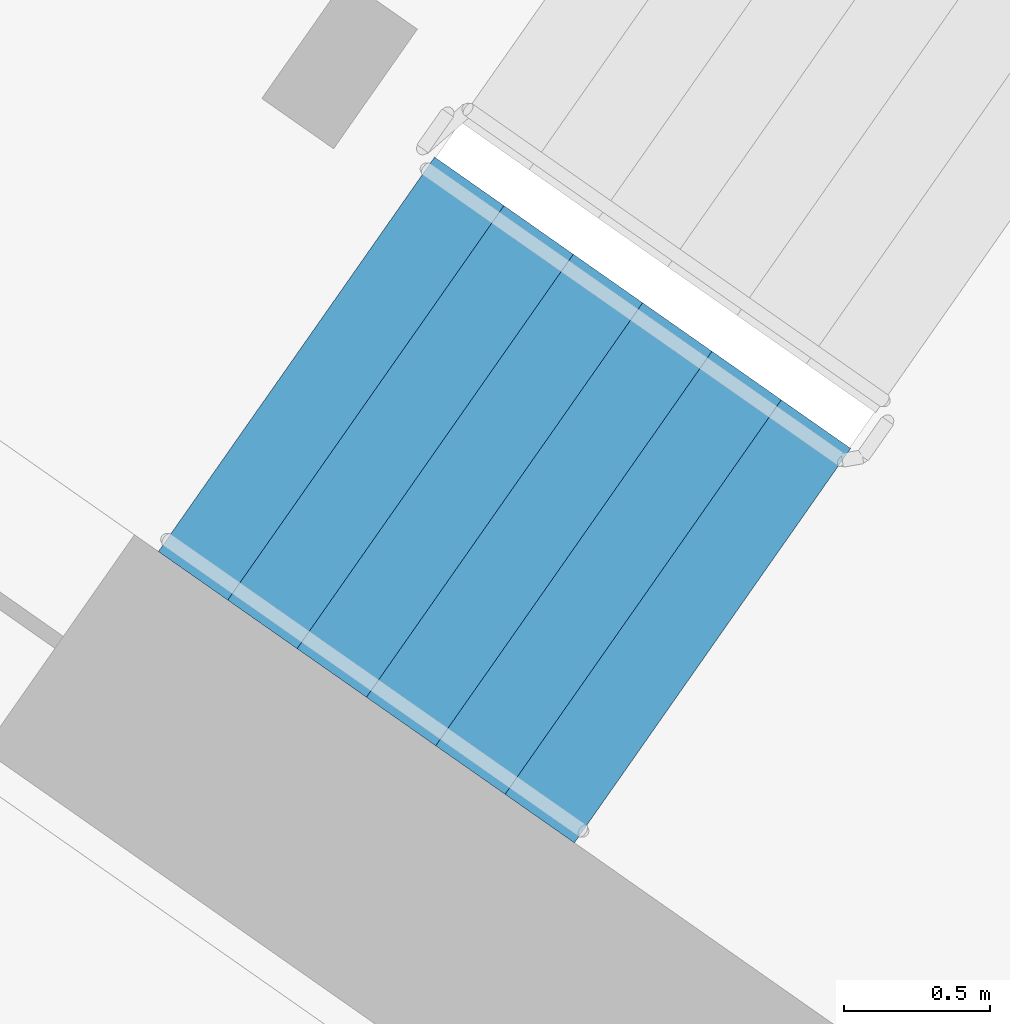
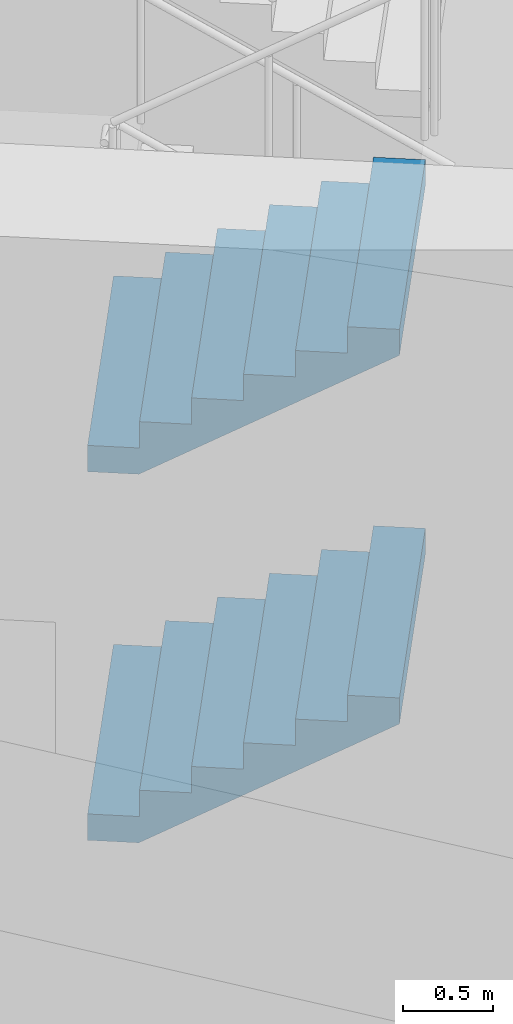
# One storey, part 15 of 25: 2 stair flights, 1 element without a shape of its own.
"""IFC4 building model written with IfcOpenShell, lengths in metres."""

from ifc_helpers import new_model, si_unit, direction, frame, origin, place, context, subcontext, project, spatial, faceted_brep, material, type_object, element, aggregate, save


model = new_model("IFC4")

# Units and contexts
model_context = context("Model", 3, precision=1e-05, world=origin(), true_north=direction((0.0, 1.0)))
body_context = subcontext(model_context, "Body", "Model", "MODEL_VIEW")
ifc_project = project(units=[si_unit("LENGTHUNIT", "METRE"), si_unit("AREAUNIT", "SQUARE_METRE"), si_unit("VOLUMEUNIT", "CUBIC_METRE"), si_unit("PLANEANGLEUNIT", "RADIAN"), si_unit("MASSUNIT", "GRAM", prefix="KILO")], contexts=[model_context])

# Site, building, storey
site_placement = place(None, origin())
site = spatial("IfcSite", under=ifc_project, at=site_placement, CompositionType="ELEMENT")
building_placement = place(site_placement, origin())
building = spatial("IfcBuilding", under=site, at=building_placement, Name="Qamariyya Broadcast Tower", CompositionType="ELEMENT")
storey_placement = place(building_placement, frame((0.0, 0.0, 144.300048828125)))
storey = spatial("IfcBuildingStorey", under=building, at=storey_placement, Name="L33", CompositionType="ELEMENT", Elevation=144.300048828125)

# Stair, stair flights
ifc_material = material(Name="Concrete C50/60", Category="concrete")
stair_type = type_object("IfcStairType", Name="Exit stair 28 risers of 179 mm", PredefinedType="HALF_TURN_STAIR", material=ifc_material)
stair_placement = place(storey_placement, origin())
stair = element("IfcStair", 1, at=stair_placement, inside=storey, type_object=stair_type, Name="L33 Stair W1", PredefinedType="HALF_TURN_STAIR")
stair_flight_type = type_object("IfcStairFlightType", Name="Exit stair flight 7 risers of 179 mm", PredefinedType="STRAIGHT", material=ifc_material)
stair_flight_1_placement = place(storey_placement, frame((-47.06884765625, -56.982666015625, 0.0), z_axis=(0.0, 0.0, 1.0), x_axis=(0.819152044289, -0.573576436351, 0.0)))
stair_flight_1 = element("IfcStairFlight", 2, at=stair_flight_1_placement, type_object=stair_flight_type, Name="ST-W1 flight 1", NumberOfRisers=7, NumberOfTreads=6, PredefinedType="STRAIGHT", RiserHeight=0.178571429, TreadLength=0.29, context=body_context, shape_type="Brep", body=[
    faceted_brep([(0.0, 0.824951171875, 0.0), (0.0, 0.824951171875, 0.178466796875), (0.2900390625, 0.824951171875, 0.178466796875), (0.2900390625, 0.824951171875, 0.357177734375), (0.580078125, 0.824951171875, 0.357177734375), (0.580078125, 0.824951171875, 0.53564453125), (0.8701171875, 0.824951171875, 0.53564453125), (0.8701171875, 0.824951171875, 0.71435546875), (1.159912109375, 0.824951171875, 0.71435546875), (1.159912109375, 0.824951171875, 0.892822265625), (1.449951171875, 0.824951171875, 0.892822265625), (1.449951171875, 0.824951171875, 1.071533203125), (1.739990234375, 0.824951171875, 1.071533203125), (1.739990234375, 0.824951171875, 0.8955078125), (0.285888671875, 0.824951171875, 0.0), (0.285888671875, -0.824951171875, 0.0), (1.739990234375, -0.824951171875, 0.8955078125), (1.739990234375, -0.824951171875, 1.071533203125), (1.449951171875, -0.824951171875, 1.071533203125), (1.449951171875, -0.824951171875, 0.892822265625), (1.159912109375, -0.824951171875, 0.892822265625), (1.159912109375, -0.824951171875, 0.71435546875), (0.8701171875, -0.824951171875, 0.71435546875), (0.8701171875, -0.824951171875, 0.53564453125), (0.580078125, -0.824951171875, 0.53564453125), (0.580078125, -0.824951171875, 0.357177734375), (0.2900390625, -0.824951171875, 0.357177734375), (0.2900390625, -0.824951171875, 0.178466796875), (0.0, -0.824951171875, 0.178466796875), (0.0, -0.824951171875, 0.0), (0.0, 0.10009765625, 0.0), (0.0, 0.086669921875, 0.0), (0.0, 0.0732421875, 0.0), (0.0, 0.06005859375, 0.0), (0.0, 0.046630859375, 0.0), (0.0, 0.033447265625, 0.0), (0.0, 0.02001953125, 0.0), (0.0, 0.006591796875, 0.0), (0.0, -0.006591796875, 0.0), (0.0, -0.02001953125, 0.0), (0.0, -0.033447265625, 0.0), (0.0, -0.046630859375, 0.0), (0.0, -0.06005859375, 0.0), (0.0, -0.0732421875, 0.0), (0.0, -0.086669921875, 0.0), (0.0, -0.10009765625, 0.0), (0.0, -0.10009765625, 0.178466796875), (0.0, -0.086669921875, 0.178466796875), (0.0, -0.0732421875, 0.178466796875), (0.0, -0.06005859375, 0.178466796875), (0.0, -0.046630859375, 0.178466796875), (0.0, -0.033447265625, 0.178466796875), (0.0, -0.02001953125, 0.178466796875), (0.0, -0.006591796875, 0.178466796875), (0.0, 0.006591796875, 0.178466796875), (0.0, 0.02001953125, 0.178466796875), (0.0, 0.033447265625, 0.178466796875), (0.0, 0.046630859375, 0.178466796875), (0.0, 0.06005859375, 0.178466796875), (0.0, 0.0732421875, 0.178466796875), (0.0, 0.086669921875, 0.178466796875), (0.0, 0.10009765625, 0.178466796875), (0.2900390625, -0.10009765625, 0.178466796875), (0.2900390625, -0.086669921875, 0.178466796875), (0.2900390625, -0.0732421875, 0.178466796875), (0.2900390625, -0.06005859375, 0.178466796875), (0.2900390625, -0.046630859375, 0.178466796875), (0.2900390625, -0.033447265625, 0.178466796875), (0.2900390625, -0.02001953125, 0.178466796875), (0.2900390625, -0.006591796875, 0.178466796875), (0.2900390625, 0.006591796875, 0.178466796875), (0.2900390625, 0.02001953125, 0.178466796875), (0.2900390625, 0.033447265625, 0.178466796875), (0.2900390625, 0.046630859375, 0.178466796875), (0.2900390625, 0.06005859375, 0.178466796875), (0.2900390625, 0.0732421875, 0.178466796875), (0.2900390625, 0.086669921875, 0.178466796875), (0.2900390625, 0.10009765625, 0.178466796875), (0.2900390625, -0.10009765625, 0.357177734375), (0.2900390625, -0.086669921875, 0.357177734375), (0.2900390625, -0.0732421875, 0.357177734375), (0.2900390625, -0.06005859375, 0.357177734375), (0.2900390625, -0.046630859375, 0.357177734375), (0.2900390625, -0.033447265625, 0.357177734375), (0.2900390625, -0.02001953125, 0.357177734375), (0.2900390625, -0.006591796875, 0.357177734375), (0.2900390625, 0.006591796875, 0.357177734375), (0.2900390625, 0.02001953125, 0.357177734375), (0.2900390625, 0.033447265625, 0.357177734375), (0.2900390625, 0.046630859375, 0.357177734375), (0.2900390625, 0.06005859375, 0.357177734375), (0.2900390625, 0.0732421875, 0.357177734375), (0.2900390625, 0.086669921875, 0.357177734375), (0.2900390625, 0.10009765625, 0.357177734375), (0.580078125, -0.10009765625, 0.357177734375), (0.580078125, -0.086669921875, 0.357177734375), (0.580078125, -0.0732421875, 0.357177734375), (0.580078125, -0.06005859375, 0.357177734375), (0.580078125, -0.046630859375, 0.357177734375), (0.580078125, -0.033447265625, 0.357177734375), (0.580078125, -0.02001953125, 0.357177734375), (0.580078125, -0.006591796875, 0.357177734375), (0.580078125, 0.006591796875, 0.357177734375), (0.580078125, 0.02001953125, 0.357177734375), (0.580078125, 0.033447265625, 0.357177734375), (0.580078125, 0.046630859375, 0.357177734375), (0.580078125, 0.06005859375, 0.357177734375), (0.580078125, 0.0732421875, 0.357177734375), (0.580078125, 0.086669921875, 0.357177734375), (0.580078125, 0.10009765625, 0.357177734375), (0.580078125, -0.10009765625, 0.53564453125), (0.580078125, -0.086669921875, 0.53564453125), (0.580078125, -0.0732421875, 0.53564453125), (0.580078125, -0.06005859375, 0.53564453125), (0.580078125, -0.046630859375, 0.53564453125), (0.580078125, -0.033447265625, 0.53564453125), (0.580078125, -0.02001953125, 0.53564453125), (0.580078125, -0.006591796875, 0.53564453125), (0.580078125, 0.006591796875, 0.53564453125), (0.580078125, 0.02001953125, 0.53564453125), (0.580078125, 0.033447265625, 0.53564453125), (0.580078125, 0.046630859375, 0.53564453125), (0.580078125, 0.06005859375, 0.53564453125), (0.580078125, 0.0732421875, 0.53564453125), (0.580078125, 0.086669921875, 0.53564453125), (0.580078125, 0.10009765625, 0.53564453125), (0.8701171875, -0.10009765625, 0.53564453125), (0.8701171875, -0.086669921875, 0.53564453125), (0.8701171875, -0.0732421875, 0.53564453125), (0.8701171875, -0.06005859375, 0.53564453125), (0.8701171875, -0.046630859375, 0.53564453125), (0.8701171875, -0.033447265625, 0.53564453125), (0.8701171875, -0.02001953125, 0.53564453125), (0.8701171875, -0.006591796875, 0.53564453125), (0.8701171875, 0.006591796875, 0.53564453125), (0.8701171875, 0.02001953125, 0.53564453125), (0.8701171875, 0.033447265625, 0.53564453125), (0.8701171875, 0.046630859375, 0.53564453125), (0.8701171875, 0.06005859375, 0.53564453125), (0.8701171875, 0.0732421875, 0.53564453125), (0.8701171875, 0.086669921875, 0.53564453125), (0.8701171875, 0.10009765625, 0.53564453125), (0.8701171875, -0.10009765625, 0.71435546875), (0.8701171875, -0.086669921875, 0.71435546875), (0.8701171875, -0.0732421875, 0.71435546875), (0.8701171875, -0.06005859375, 0.71435546875), (0.8701171875, -0.046630859375, 0.71435546875), (0.8701171875, -0.033447265625, 0.71435546875), (0.8701171875, -0.02001953125, 0.71435546875), (0.8701171875, -0.006591796875, 0.71435546875), (0.8701171875, 0.006591796875, 0.71435546875), (0.8701171875, 0.02001953125, 0.71435546875), (0.8701171875, 0.033447265625, 0.71435546875), (0.8701171875, 0.046630859375, 0.71435546875), (0.8701171875, 0.06005859375, 0.71435546875), (0.8701171875, 0.0732421875, 0.71435546875), (0.8701171875, 0.086669921875, 0.71435546875), (0.8701171875, 0.10009765625, 0.71435546875), (1.159912109375, -0.10009765625, 0.71435546875), (1.159912109375, -0.086669921875, 0.71435546875), (1.159912109375, -0.0732421875, 0.71435546875), (1.159912109375, -0.06005859375, 0.71435546875), (1.159912109375, -0.046630859375, 0.71435546875), (1.159912109375, -0.033447265625, 0.71435546875), (1.159912109375, -0.02001953125, 0.71435546875), (1.159912109375, -0.006591796875, 0.71435546875), (1.159912109375, 0.006591796875, 0.71435546875), (1.159912109375, 0.02001953125, 0.71435546875), (1.159912109375, 0.033447265625, 0.71435546875), (1.159912109375, 0.046630859375, 0.71435546875), (1.159912109375, 0.06005859375, 0.71435546875), (1.159912109375, 0.0732421875, 0.71435546875), (1.159912109375, 0.086669921875, 0.71435546875), (1.159912109375, 0.10009765625, 0.71435546875), (1.159912109375, -0.10009765625, 0.892822265625), (1.159912109375, -0.086669921875, 0.892822265625), (1.159912109375, -0.0732421875, 0.892822265625), (1.159912109375, -0.06005859375, 0.892822265625), (1.159912109375, -0.046630859375, 0.892822265625), (1.159912109375, -0.033447265625, 0.892822265625), (1.159912109375, -0.02001953125, 0.892822265625), (1.159912109375, -0.006591796875, 0.892822265625), (1.159912109375, 0.006591796875, 0.892822265625), (1.159912109375, 0.02001953125, 0.892822265625), (1.159912109375, 0.033447265625, 0.892822265625), (1.159912109375, 0.046630859375, 0.892822265625), (1.159912109375, 0.06005859375, 0.892822265625), (1.159912109375, 0.0732421875, 0.892822265625), (1.159912109375, 0.086669921875, 0.892822265625), (1.159912109375, 0.10009765625, 0.892822265625), (1.449951171875, -0.10009765625, 0.892822265625), (1.449951171875, -0.086669921875, 0.892822265625), (1.449951171875, -0.0732421875, 0.892822265625), (1.449951171875, -0.06005859375, 0.892822265625), (1.449951171875, -0.046630859375, 0.892822265625), (1.449951171875, -0.033447265625, 0.892822265625), (1.449951171875, -0.02001953125, 0.892822265625), (1.449951171875, -0.006591796875, 0.892822265625), (1.449951171875, 0.006591796875, 0.892822265625), (1.449951171875, 0.02001953125, 0.892822265625), (1.449951171875, 0.033447265625, 0.892822265625), (1.449951171875, 0.046630859375, 0.892822265625), (1.449951171875, 0.06005859375, 0.892822265625), (1.449951171875, 0.0732421875, 0.892822265625), (1.449951171875, 0.086669921875, 0.892822265625), (1.449951171875, 0.10009765625, 0.892822265625), (1.449951171875, -0.10009765625, 1.071533203125), (1.449951171875, -0.086669921875, 1.071533203125), (1.449951171875, -0.0732421875, 1.071533203125), (1.449951171875, -0.06005859375, 1.071533203125), (1.449951171875, -0.046630859375, 1.071533203125), (1.449951171875, -0.033447265625, 1.071533203125), (1.449951171875, -0.02001953125, 1.071533203125), (1.449951171875, -0.006591796875, 1.071533203125), (1.449951171875, 0.006591796875, 1.071533203125), (1.449951171875, 0.02001953125, 1.071533203125), (1.449951171875, 0.033447265625, 1.071533203125), (1.449951171875, 0.046630859375, 1.071533203125), (1.449951171875, 0.06005859375, 1.071533203125), (1.449951171875, 0.0732421875, 1.071533203125), (1.449951171875, 0.086669921875, 1.071533203125), (1.449951171875, 0.10009765625, 1.071533203125), (1.739990234375, -0.10009765625, 1.071533203125), (1.739990234375, -0.086669921875, 1.071533203125), (1.739990234375, -0.0732421875, 1.071533203125), (1.739990234375, -0.06005859375, 1.071533203125), (1.739990234375, -0.046630859375, 1.071533203125), (1.739990234375, -0.033447265625, 1.071533203125), (1.739990234375, -0.02001953125, 1.071533203125), (1.739990234375, -0.006591796875, 1.071533203125), (1.739990234375, 0.006591796875, 1.071533203125), (1.739990234375, 0.02001953125, 1.071533203125), (1.739990234375, 0.033447265625, 1.071533203125), (1.739990234375, 0.046630859375, 1.071533203125), (1.739990234375, 0.06005859375, 1.071533203125), (1.739990234375, 0.0732421875, 1.071533203125), (1.739990234375, 0.086669921875, 1.071533203125), (1.739990234375, 0.10009765625, 1.071533203125), (1.739990234375, -0.10009765625, 0.8955078125), (1.739990234375, -0.086669921875, 0.8955078125), (1.739990234375, -0.0732421875, 0.8955078125), (1.739990234375, -0.06005859375, 0.8955078125), (1.739990234375, -0.046630859375, 0.8955078125), (1.739990234375, -0.033447265625, 0.8955078125), (1.739990234375, -0.02001953125, 0.8955078125), (1.739990234375, -0.006591796875, 0.8955078125), (1.739990234375, 0.006591796875, 0.8955078125), (1.739990234375, 0.02001953125, 0.8955078125), (1.739990234375, 0.033447265625, 0.8955078125), (1.739990234375, 0.046630859375, 0.8955078125), (1.739990234375, 0.06005859375, 0.8955078125), (1.739990234375, 0.0732421875, 0.8955078125), (1.739990234375, 0.086669921875, 0.8955078125), (1.739990234375, 0.10009765625, 0.8955078125), (0.285888671875, -0.10009765625, 0.0), (0.285888671875, -0.086669921875, 0.0), (0.285888671875, -0.0732421875, 0.0), (0.285888671875, -0.06005859375, 0.0), (0.285888671875, -0.046630859375, 0.0), (0.285888671875, -0.033447265625, 0.0), (0.285888671875, -0.02001953125, 0.0), (0.285888671875, -0.006591796875, 0.0), (0.285888671875, 0.006591796875, 0.0), (0.285888671875, 0.02001953125, 0.0), (0.285888671875, 0.033447265625, 0.0), (0.285888671875, 0.046630859375, 0.0), (0.285888671875, 0.06005859375, 0.0), (0.285888671875, 0.0732421875, 0.0), (0.285888671875, 0.086669921875, 0.0), (0.285888671875, 0.10009765625, 0.0)], [[[0, 1, 2, 3, 4, 5, 6, 7, 8, 9, 10, 11, 12, 13, 14]], [[15, 16, 17, 18, 19, 20, 21, 22, 23, 24, 25, 26, 27, 28, 29]], [[0, 30, 31, 32, 33, 34, 35, 36, 37, 38, 39, 40, 41, 42, 43, 44, 45, 29, 28, 46, 47, 48, 49, 50, 51, 52, 53, 54, 55, 56, 57, 58, 59, 60, 61, 1]], [[1, 61, 60, 59, 58, 57, 56, 55, 54, 53, 52, 51, 50, 49, 48, 47, 46, 28, 27, 62, 63, 64, 65, 66, 67, 68, 69, 70, 71, 72, 73, 74, 75, 76, 77, 2]], [[2, 77, 76, 75, 74, 73, 72, 71, 70, 69, 68, 67, 66, 65, 64, 63, 62, 27, 26, 78, 79, 80, 81, 82, 83, 84, 85, 86, 87, 88, 89, 90, 91, 92, 93, 3]], [[3, 93, 92, 91, 90, 89, 88, 87, 86, 85, 84, 83, 82, 81, 80, 79, 78, 26, 25, 94, 95, 96, 97, 98, 99, 100, 101, 102, 103, 104, 105, 106, 107, 108, 109, 4]], [[4, 109, 108, 107, 106, 105, 104, 103, 102, 101, 100, 99, 98, 97, 96, 95, 94, 25, 24, 110, 111, 112, 113, 114, 115, 116, 117, 118, 119, 120, 121, 122, 123, 124, 125, 5]], [[5, 125, 124, 123, 122, 121, 120, 119, 118, 117, 116, 115, 114, 113, 112, 111, 110, 24, 23, 126, 127, 128, 129, 130, 131, 132, 133, 134, 135, 136, 137, 138, 139, 140, 141, 6]], [[6, 141, 140, 139, 138, 137, 136, 135, 134, 133, 132, 131, 130, 129, 128, 127, 126, 23, 22, 142, 143, 144, 145, 146, 147, 148, 149, 150, 151, 152, 153, 154, 155, 156, 157, 7]], [[7, 157, 156, 155, 154, 153, 152, 151, 150, 149, 148, 147, 146, 145, 144, 143, 142, 22, 21, 158, 159, 160, 161, 162, 163, 164, 165, 166, 167, 168, 169, 170, 171, 172, 173, 8]], [[8, 173, 172, 171, 170, 169, 168, 167, 166, 165, 164, 163, 162, 161, 160, 159, 158, 21, 20, 174, 175, 176, 177, 178, 179, 180, 181, 182, 183, 184, 185, 186, 187, 188, 189, 9]], [[9, 189, 188, 187, 186, 185, 184, 183, 182, 181, 180, 179, 178, 177, 176, 175, 174, 20, 19, 190, 191, 192, 193, 194, 195, 196, 197, 198, 199, 200, 201, 202, 203, 204, 205, 10]], [[10, 205, 204, 203, 202, 201, 200, 199, 198, 197, 196, 195, 194, 193, 192, 191, 190, 19, 18, 206, 207, 208, 209, 210, 211, 212, 213, 214, 215, 216, 217, 218, 219, 220, 221, 11]], [[11, 221, 220, 219, 218, 217, 216, 215, 214, 213, 212, 211, 210, 209, 208, 207, 206, 18, 17, 222, 223, 224, 225, 226, 227, 228, 229, 230, 231, 232, 233, 234, 235, 236, 237, 12]], [[12, 237, 236, 235, 234, 233, 232, 231, 230, 229, 228, 227, 226, 225, 224, 223, 222, 17, 16, 238, 239, 240, 241, 242, 243, 244, 245, 246, 247, 248, 249, 250, 251, 252, 253, 13]], [[13, 253, 252, 251, 250, 249, 248, 247, 246, 245, 244, 243, 242, 241, 240, 239, 238, 16, 15, 254, 255, 256, 257, 258, 259, 260, 261, 262, 263, 264, 265, 266, 267, 268, 269, 14]], [[14, 269, 268, 267, 266, 265, 264, 263, 262, 261, 260, 259, 258, 257, 256, 255, 254, 15, 29, 45, 44, 43, 42, 41, 40, 39, 38, 37, 36, 35, 34, 33, 32, 31, 30, 0]]]),
])
stair_flight_2_placement = place(storey_placement, frame((-47.06884765625, -56.982666015625, 2.5), z_axis=(0.0, 0.0, 1.0), x_axis=(0.819152044289, -0.573576436351, 0.0)))
stair_flight_2 = element("IfcStairFlight", 3, at=stair_flight_2_placement, type_object=stair_flight_type, Name="ST-W1 flight 3", NumberOfRisers=7, NumberOfTreads=6, PredefinedType="STRAIGHT", RiserHeight=0.178571429, TreadLength=0.29, context=body_context, shape_type="Brep", body=[
    faceted_brep([(0.0, 0.824951171875, 0.0), (0.0, 0.824951171875, 0.178466796875), (0.2900390625, 0.824951171875, 0.178466796875), (0.2900390625, 0.824951171875, 0.357177734375), (0.580078125, 0.824951171875, 0.357177734375), (0.580078125, 0.824951171875, 0.53564453125), (0.8701171875, 0.824951171875, 0.53564453125), (0.8701171875, 0.824951171875, 0.71435546875), (1.159912109375, 0.824951171875, 0.71435546875), (1.159912109375, 0.824951171875, 0.892822265625), (1.449951171875, 0.824951171875, 0.892822265625), (1.449951171875, 0.824951171875, 1.071533203125), (1.739990234375, 0.824951171875, 1.071533203125), (1.739990234375, 0.824951171875, 0.8955078125), (0.285888671875, 0.824951171875, 0.0), (0.285888671875, -0.824951171875, 0.0), (1.739990234375, -0.824951171875, 0.8955078125), (1.739990234375, -0.824951171875, 1.071533203125), (1.449951171875, -0.824951171875, 1.071533203125), (1.449951171875, -0.824951171875, 0.892822265625), (1.159912109375, -0.824951171875, 0.892822265625), (1.159912109375, -0.824951171875, 0.71435546875), (0.8701171875, -0.824951171875, 0.71435546875), (0.8701171875, -0.824951171875, 0.53564453125), (0.580078125, -0.824951171875, 0.53564453125), (0.580078125, -0.824951171875, 0.357177734375), (0.2900390625, -0.824951171875, 0.357177734375), (0.2900390625, -0.824951171875, 0.178466796875), (0.0, -0.824951171875, 0.178466796875), (0.0, -0.824951171875, 0.0), (0.0, 0.10009765625, 0.0), (0.0, 0.086669921875, 0.0), (0.0, 0.0732421875, 0.0), (0.0, 0.06005859375, 0.0), (0.0, 0.046630859375, 0.0), (0.0, 0.033447265625, 0.0), (0.0, 0.02001953125, 0.0), (0.0, 0.006591796875, 0.0), (0.0, -0.006591796875, 0.0), (0.0, -0.02001953125, 0.0), (0.0, -0.033447265625, 0.0), (0.0, -0.046630859375, 0.0), (0.0, -0.06005859375, 0.0), (0.0, -0.0732421875, 0.0), (0.0, -0.086669921875, 0.0), (0.0, -0.10009765625, 0.0), (0.0, -0.10009765625, 0.178466796875), (0.0, -0.086669921875, 0.178466796875), (0.0, -0.0732421875, 0.178466796875), (0.0, -0.06005859375, 0.178466796875), (0.0, -0.046630859375, 0.178466796875), (0.0, -0.033447265625, 0.178466796875), (0.0, -0.02001953125, 0.178466796875), (0.0, -0.006591796875, 0.178466796875), (0.0, 0.006591796875, 0.178466796875), (0.0, 0.02001953125, 0.178466796875), (0.0, 0.033447265625, 0.178466796875), (0.0, 0.046630859375, 0.178466796875), (0.0, 0.06005859375, 0.178466796875), (0.0, 0.0732421875, 0.178466796875), (0.0, 0.086669921875, 0.178466796875), (0.0, 0.10009765625, 0.178466796875), (0.2900390625, -0.10009765625, 0.178466796875), (0.2900390625, -0.086669921875, 0.178466796875), (0.2900390625, -0.0732421875, 0.178466796875), (0.2900390625, -0.06005859375, 0.178466796875), (0.2900390625, -0.046630859375, 0.178466796875), (0.2900390625, -0.033447265625, 0.178466796875), (0.2900390625, -0.02001953125, 0.178466796875), (0.2900390625, -0.006591796875, 0.178466796875), (0.2900390625, 0.006591796875, 0.178466796875), (0.2900390625, 0.02001953125, 0.178466796875), (0.2900390625, 0.033447265625, 0.178466796875), (0.2900390625, 0.046630859375, 0.178466796875), (0.2900390625, 0.06005859375, 0.178466796875), (0.2900390625, 0.0732421875, 0.178466796875), (0.2900390625, 0.086669921875, 0.178466796875), (0.2900390625, 0.10009765625, 0.178466796875), (0.2900390625, -0.10009765625, 0.357177734375), (0.2900390625, -0.086669921875, 0.357177734375), (0.2900390625, -0.0732421875, 0.357177734375), (0.2900390625, -0.06005859375, 0.357177734375), (0.2900390625, -0.046630859375, 0.357177734375), (0.2900390625, -0.033447265625, 0.357177734375), (0.2900390625, -0.02001953125, 0.357177734375), (0.2900390625, -0.006591796875, 0.357177734375), (0.2900390625, 0.006591796875, 0.357177734375), (0.2900390625, 0.02001953125, 0.357177734375), (0.2900390625, 0.033447265625, 0.357177734375), (0.2900390625, 0.046630859375, 0.357177734375), (0.2900390625, 0.06005859375, 0.357177734375), (0.2900390625, 0.0732421875, 0.357177734375), (0.2900390625, 0.086669921875, 0.357177734375), (0.2900390625, 0.10009765625, 0.357177734375), (0.580078125, -0.10009765625, 0.357177734375), (0.580078125, -0.086669921875, 0.357177734375), (0.580078125, -0.0732421875, 0.357177734375), (0.580078125, -0.06005859375, 0.357177734375), (0.580078125, -0.046630859375, 0.357177734375), (0.580078125, -0.033447265625, 0.357177734375), (0.580078125, -0.02001953125, 0.357177734375), (0.580078125, -0.006591796875, 0.357177734375), (0.580078125, 0.006591796875, 0.357177734375), (0.580078125, 0.02001953125, 0.357177734375), (0.580078125, 0.033447265625, 0.357177734375), (0.580078125, 0.046630859375, 0.357177734375), (0.580078125, 0.06005859375, 0.357177734375), (0.580078125, 0.0732421875, 0.357177734375), (0.580078125, 0.086669921875, 0.357177734375), (0.580078125, 0.10009765625, 0.357177734375), (0.580078125, -0.10009765625, 0.53564453125), (0.580078125, -0.086669921875, 0.53564453125), (0.580078125, -0.0732421875, 0.53564453125), (0.580078125, -0.06005859375, 0.53564453125), (0.580078125, -0.046630859375, 0.53564453125), (0.580078125, -0.033447265625, 0.53564453125), (0.580078125, -0.02001953125, 0.53564453125), (0.580078125, -0.006591796875, 0.53564453125), (0.580078125, 0.006591796875, 0.53564453125), (0.580078125, 0.02001953125, 0.53564453125), (0.580078125, 0.033447265625, 0.53564453125), (0.580078125, 0.046630859375, 0.53564453125), (0.580078125, 0.06005859375, 0.53564453125), (0.580078125, 0.0732421875, 0.53564453125), (0.580078125, 0.086669921875, 0.53564453125), (0.580078125, 0.10009765625, 0.53564453125), (0.8701171875, -0.10009765625, 0.53564453125), (0.8701171875, -0.086669921875, 0.53564453125), (0.8701171875, -0.0732421875, 0.53564453125), (0.8701171875, -0.06005859375, 0.53564453125), (0.8701171875, -0.046630859375, 0.53564453125), (0.8701171875, -0.033447265625, 0.53564453125), (0.8701171875, -0.02001953125, 0.53564453125), (0.8701171875, -0.006591796875, 0.53564453125), (0.8701171875, 0.006591796875, 0.53564453125), (0.8701171875, 0.02001953125, 0.53564453125), (0.8701171875, 0.033447265625, 0.53564453125), (0.8701171875, 0.046630859375, 0.53564453125), (0.8701171875, 0.06005859375, 0.53564453125), (0.8701171875, 0.0732421875, 0.53564453125), (0.8701171875, 0.086669921875, 0.53564453125), (0.8701171875, 0.10009765625, 0.53564453125), (0.8701171875, -0.10009765625, 0.71435546875), (0.8701171875, -0.086669921875, 0.71435546875), (0.8701171875, -0.0732421875, 0.71435546875), (0.8701171875, -0.06005859375, 0.71435546875), (0.8701171875, -0.046630859375, 0.71435546875), (0.8701171875, -0.033447265625, 0.71435546875), (0.8701171875, -0.02001953125, 0.71435546875), (0.8701171875, -0.006591796875, 0.71435546875), (0.8701171875, 0.006591796875, 0.71435546875), (0.8701171875, 0.02001953125, 0.71435546875), (0.8701171875, 0.033447265625, 0.71435546875), (0.8701171875, 0.046630859375, 0.71435546875), (0.8701171875, 0.06005859375, 0.71435546875), (0.8701171875, 0.0732421875, 0.71435546875), (0.8701171875, 0.086669921875, 0.71435546875), (0.8701171875, 0.10009765625, 0.71435546875), (1.159912109375, -0.10009765625, 0.71435546875), (1.159912109375, -0.086669921875, 0.71435546875), (1.159912109375, -0.0732421875, 0.71435546875), (1.159912109375, -0.06005859375, 0.71435546875), (1.159912109375, -0.046630859375, 0.71435546875), (1.159912109375, -0.033447265625, 0.71435546875), (1.159912109375, -0.02001953125, 0.71435546875), (1.159912109375, -0.006591796875, 0.71435546875), (1.159912109375, 0.006591796875, 0.71435546875), (1.159912109375, 0.02001953125, 0.71435546875), (1.159912109375, 0.033447265625, 0.71435546875), (1.159912109375, 0.046630859375, 0.71435546875), (1.159912109375, 0.06005859375, 0.71435546875), (1.159912109375, 0.0732421875, 0.71435546875), (1.159912109375, 0.086669921875, 0.71435546875), (1.159912109375, 0.10009765625, 0.71435546875), (1.159912109375, -0.10009765625, 0.892822265625), (1.159912109375, -0.086669921875, 0.892822265625), (1.159912109375, -0.0732421875, 0.892822265625), (1.159912109375, -0.06005859375, 0.892822265625), (1.159912109375, -0.046630859375, 0.892822265625), (1.159912109375, -0.033447265625, 0.892822265625), (1.159912109375, -0.02001953125, 0.892822265625), (1.159912109375, -0.006591796875, 0.892822265625), (1.159912109375, 0.006591796875, 0.892822265625), (1.159912109375, 0.02001953125, 0.892822265625), (1.159912109375, 0.033447265625, 0.892822265625), (1.159912109375, 0.046630859375, 0.892822265625), (1.159912109375, 0.06005859375, 0.892822265625), (1.159912109375, 0.0732421875, 0.892822265625), (1.159912109375, 0.086669921875, 0.892822265625), (1.159912109375, 0.10009765625, 0.892822265625), (1.449951171875, -0.10009765625, 0.892822265625), (1.449951171875, -0.086669921875, 0.892822265625), (1.449951171875, -0.0732421875, 0.892822265625), (1.449951171875, -0.06005859375, 0.892822265625), (1.449951171875, -0.046630859375, 0.892822265625), (1.449951171875, -0.033447265625, 0.892822265625), (1.449951171875, -0.02001953125, 0.892822265625), (1.449951171875, -0.006591796875, 0.892822265625), (1.449951171875, 0.006591796875, 0.892822265625), (1.449951171875, 0.02001953125, 0.892822265625), (1.449951171875, 0.033447265625, 0.892822265625), (1.449951171875, 0.046630859375, 0.892822265625), (1.449951171875, 0.06005859375, 0.892822265625), (1.449951171875, 0.0732421875, 0.892822265625), (1.449951171875, 0.086669921875, 0.892822265625), (1.449951171875, 0.10009765625, 0.892822265625), (1.449951171875, -0.10009765625, 1.071533203125), (1.449951171875, -0.086669921875, 1.071533203125), (1.449951171875, -0.0732421875, 1.071533203125), (1.449951171875, -0.06005859375, 1.071533203125), (1.449951171875, -0.046630859375, 1.071533203125), (1.449951171875, -0.033447265625, 1.071533203125), (1.449951171875, -0.02001953125, 1.071533203125), (1.449951171875, -0.006591796875, 1.071533203125), (1.449951171875, 0.006591796875, 1.071533203125), (1.449951171875, 0.02001953125, 1.071533203125), (1.449951171875, 0.033447265625, 1.071533203125), (1.449951171875, 0.046630859375, 1.071533203125), (1.449951171875, 0.06005859375, 1.071533203125), (1.449951171875, 0.0732421875, 1.071533203125), (1.449951171875, 0.086669921875, 1.071533203125), (1.449951171875, 0.10009765625, 1.071533203125), (1.739990234375, -0.10009765625, 1.071533203125), (1.739990234375, -0.086669921875, 1.071533203125), (1.739990234375, -0.0732421875, 1.071533203125), (1.739990234375, -0.06005859375, 1.071533203125), (1.739990234375, -0.046630859375, 1.071533203125), (1.739990234375, -0.033447265625, 1.071533203125), (1.739990234375, -0.02001953125, 1.071533203125), (1.739990234375, -0.006591796875, 1.071533203125), (1.739990234375, 0.006591796875, 1.071533203125), (1.739990234375, 0.02001953125, 1.071533203125), (1.739990234375, 0.033447265625, 1.071533203125), (1.739990234375, 0.046630859375, 1.071533203125), (1.739990234375, 0.06005859375, 1.071533203125), (1.739990234375, 0.0732421875, 1.071533203125), (1.739990234375, 0.086669921875, 1.071533203125), (1.739990234375, 0.10009765625, 1.071533203125), (1.739990234375, -0.10009765625, 0.8955078125), (1.739990234375, -0.086669921875, 0.8955078125), (1.739990234375, -0.0732421875, 0.8955078125), (1.739990234375, -0.06005859375, 0.8955078125), (1.739990234375, -0.046630859375, 0.8955078125), (1.739990234375, -0.033447265625, 0.8955078125), (1.739990234375, -0.02001953125, 0.8955078125), (1.739990234375, -0.006591796875, 0.8955078125), (1.739990234375, 0.006591796875, 0.8955078125), (1.739990234375, 0.02001953125, 0.8955078125), (1.739990234375, 0.033447265625, 0.8955078125), (1.739990234375, 0.046630859375, 0.8955078125), (1.739990234375, 0.06005859375, 0.8955078125), (1.739990234375, 0.0732421875, 0.8955078125), (1.739990234375, 0.086669921875, 0.8955078125), (1.739990234375, 0.10009765625, 0.8955078125), (0.285888671875, -0.10009765625, 0.0), (0.285888671875, -0.086669921875, 0.0), (0.285888671875, -0.0732421875, 0.0), (0.285888671875, -0.06005859375, 0.0), (0.285888671875, -0.046630859375, 0.0), (0.285888671875, -0.033447265625, 0.0), (0.285888671875, -0.02001953125, 0.0), (0.285888671875, -0.006591796875, 0.0), (0.285888671875, 0.006591796875, 0.0), (0.285888671875, 0.02001953125, 0.0), (0.285888671875, 0.033447265625, 0.0), (0.285888671875, 0.046630859375, 0.0), (0.285888671875, 0.06005859375, 0.0), (0.285888671875, 0.0732421875, 0.0), (0.285888671875, 0.086669921875, 0.0), (0.285888671875, 0.10009765625, 0.0)], [[[0, 1, 2, 3, 4, 5, 6, 7, 8, 9, 10, 11, 12, 13, 14]], [[15, 16, 17, 18, 19, 20, 21, 22, 23, 24, 25, 26, 27, 28, 29]], [[0, 30, 31, 32, 33, 34, 35, 36, 37, 38, 39, 40, 41, 42, 43, 44, 45, 29, 28, 46, 47, 48, 49, 50, 51, 52, 53, 54, 55, 56, 57, 58, 59, 60, 61, 1]], [[1, 61, 60, 59, 58, 57, 56, 55, 54, 53, 52, 51, 50, 49, 48, 47, 46, 28, 27, 62, 63, 64, 65, 66, 67, 68, 69, 70, 71, 72, 73, 74, 75, 76, 77, 2]], [[2, 77, 76, 75, 74, 73, 72, 71, 70, 69, 68, 67, 66, 65, 64, 63, 62, 27, 26, 78, 79, 80, 81, 82, 83, 84, 85, 86, 87, 88, 89, 90, 91, 92, 93, 3]], [[3, 93, 92, 91, 90, 89, 88, 87, 86, 85, 84, 83, 82, 81, 80, 79, 78, 26, 25, 94, 95, 96, 97, 98, 99, 100, 101, 102, 103, 104, 105, 106, 107, 108, 109, 4]], [[4, 109, 108, 107, 106, 105, 104, 103, 102, 101, 100, 99, 98, 97, 96, 95, 94, 25, 24, 110, 111, 112, 113, 114, 115, 116, 117, 118, 119, 120, 121, 122, 123, 124, 125, 5]], [[5, 125, 124, 123, 122, 121, 120, 119, 118, 117, 116, 115, 114, 113, 112, 111, 110, 24, 23, 126, 127, 128, 129, 130, 131, 132, 133, 134, 135, 136, 137, 138, 139, 140, 141, 6]], [[6, 141, 140, 139, 138, 137, 136, 135, 134, 133, 132, 131, 130, 129, 128, 127, 126, 23, 22, 142, 143, 144, 145, 146, 147, 148, 149, 150, 151, 152, 153, 154, 155, 156, 157, 7]], [[7, 157, 156, 155, 154, 153, 152, 151, 150, 149, 148, 147, 146, 145, 144, 143, 142, 22, 21, 158, 159, 160, 161, 162, 163, 164, 165, 166, 167, 168, 169, 170, 171, 172, 173, 8]], [[8, 173, 172, 171, 170, 169, 168, 167, 166, 165, 164, 163, 162, 161, 160, 159, 158, 21, 20, 174, 175, 176, 177, 178, 179, 180, 181, 182, 183, 184, 185, 186, 187, 188, 189, 9]], [[9, 189, 188, 187, 186, 185, 184, 183, 182, 181, 180, 179, 178, 177, 176, 175, 174, 20, 19, 190, 191, 192, 193, 194, 195, 196, 197, 198, 199, 200, 201, 202, 203, 204, 205, 10]], [[10, 205, 204, 203, 202, 201, 200, 199, 198, 197, 196, 195, 194, 193, 192, 191, 190, 19, 18, 206, 207, 208, 209, 210, 211, 212, 213, 214, 215, 216, 217, 218, 219, 220, 221, 11]], [[11, 221, 220, 219, 218, 217, 216, 215, 214, 213, 212, 211, 210, 209, 208, 207, 206, 18, 17, 222, 223, 224, 225, 226, 227, 228, 229, 230, 231, 232, 233, 234, 235, 236, 237, 12]], [[12, 237, 236, 235, 234, 233, 232, 231, 230, 229, 228, 227, 226, 225, 224, 223, 222, 17, 16, 238, 239, 240, 241, 242, 243, 244, 245, 246, 247, 248, 249, 250, 251, 252, 253, 13]], [[13, 253, 252, 251, 250, 249, 248, 247, 246, 245, 244, 243, 242, 241, 240, 239, 238, 16, 15, 254, 255, 256, 257, 258, 259, 260, 261, 262, 263, 264, 265, 266, 267, 268, 269, 14]], [[14, 269, 268, 267, 266, 265, 264, 263, 262, 261, 260, 259, 258, 257, 256, 255, 254, 15, 29, 45, 44, 43, 42, 41, 40, 39, 38, 37, 36, 35, 34, 33, 32, 31, 30, 0]]]),
])
aggregate(stair, [stair_flight_1, stair_flight_2])

save(model, "model.ifc")
